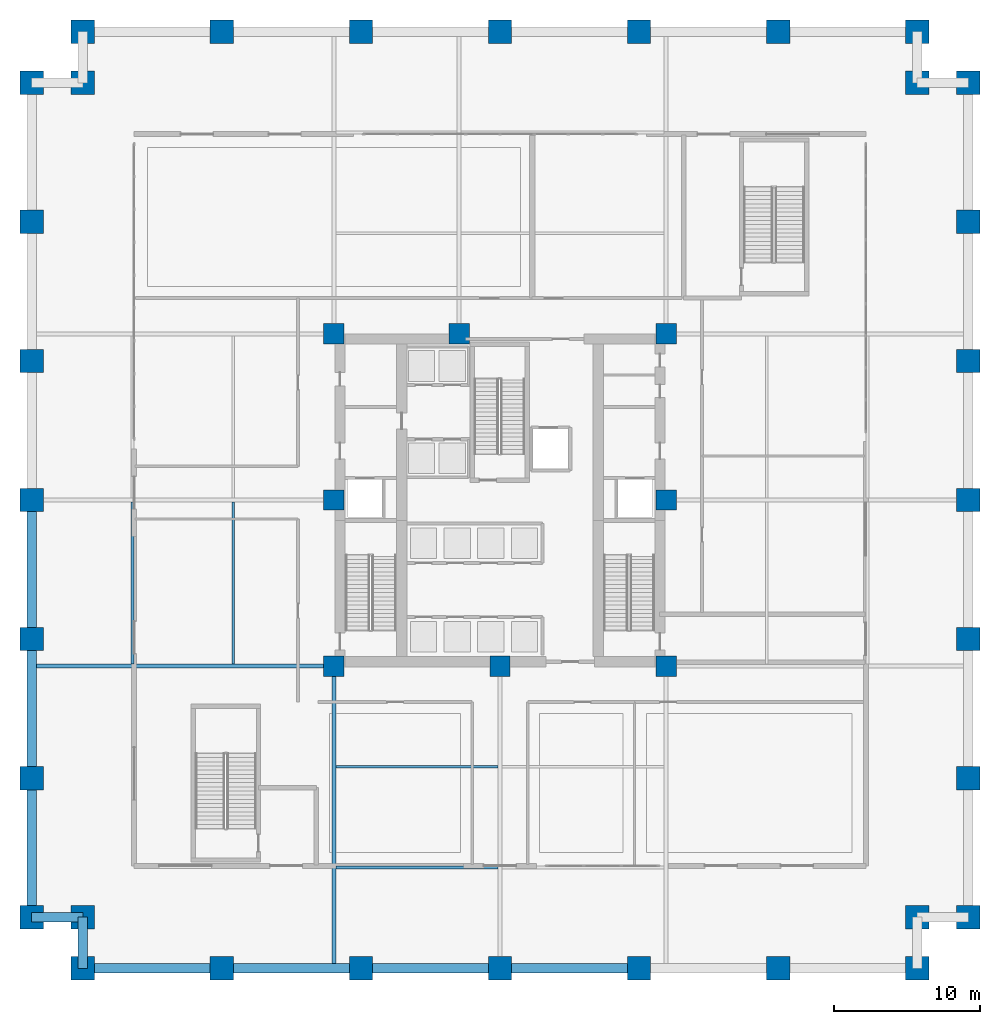
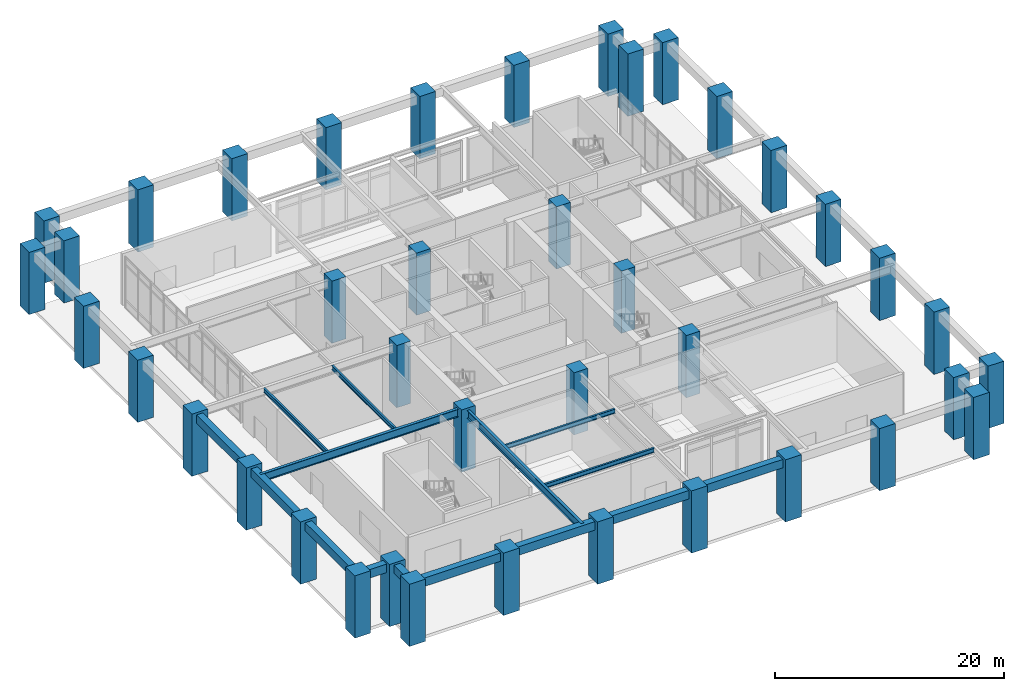
# One storey, part 1 of 17: 40 columns, 15 beams.
"""IFC4 building model written with IfcOpenShell, lengths in metres."""

import ifcopenshell
import ifcopenshell.guid

model = None  # the IFC model being written
_history = None  # IfcOwnerHistory: only IFC2X3 demands one
_inside = {}  # id of a spatial element -> (the spatial element, [elements in it])
_under = {}  # id of a project, library or spatial element -> (it, [spatial elements below it])
_declared = {}  # id of a project -> (the project, [libraries it declares])
_typed = {}  # id of a type object -> (the type object, [elements of that type])
_made_of = {}  # id of a material, layer set ... -> (it, [elements and type objects made of it])


def new_model(schema):
    """Start an empty IFC model of exactly this schema.

    Asked for "IFC4X3", IfcOpenShell would pick the latest addendum, in which some entities
    have other attributes; the version numbers below select the first issue.
    IFC2X3 requires an IfcOwnerHistory on every rooted entity: one is made here for all.
    """
    global model, _history
    if schema == "IFC4X3":
        model = ifcopenshell.file(schema_version=(4, 3, 0, 0))
    else:
        model = ifcopenshell.file(schema=schema)
    _inside.clear()
    _under.clear()
    _declared.clear()
    _typed.clear()
    _made_of.clear()
    _history = None
    if model.schema == "IFC2X3":
        org = make("IfcOrganization", Name="unknown")
        user = make(
            "IfcPersonAndOrganization",
            ThePerson=make("IfcPerson", FamilyName="unknown"),
            TheOrganization=org,
        )
        app = make(
            "IfcApplication",
            ApplicationDeveloper=org,
            Version="unknown",
            ApplicationFullName="unknown",
            ApplicationIdentifier="unknown",
        )
        _history = make(
            "IfcOwnerHistory",
            OwningUser=user,
            OwningApplication=app,
            ChangeAction="ADDED",
            CreationDate=0,
        )
    return model


def make(cls, **values):
    """One entity of the class cls with the attributes given. An attribute that is None is left unset."""
    return model.create_entity(
        cls, **{name: value for name, value in values.items() if value is not None}
    )


def rooted(cls, **values):
    """An entity with a GlobalId (a new one), such as an element, a storey or a relation."""
    return make(cls, GlobalId=ifcopenshell.guid.new(), OwnerHistory=_history, **values)


def si_unit(unit_type, name, prefix=None):
    """IfcSIUnit, for example si_unit("LENGTHUNIT", "METRE", prefix="MILLI")."""
    return make("IfcSIUnit", UnitType=unit_type, Prefix=prefix, Name=name)


def assignment(units):
    """IfcUnitAssignment: the units of a project."""
    return None if units is None else make("IfcUnitAssignment", Units=units)


def point(xyz):
    """IfcCartesianPoint."""
    return None if xyz is None else make("IfcCartesianPoint", Coordinates=xyz)


def direction(xyz):
    """IfcDirection."""
    return None if xyz is None else make("IfcDirection", DirectionRatios=xyz)


def frame(location, z_axis=None, x_axis=None):
    """IfcAxis2Placement3D, a coordinate frame: its origin and axes. An axis left out is left unset."""
    return make(
        "IfcAxis2Placement3D",
        Location=point(location),
        Axis=direction(z_axis),
        RefDirection=direction(x_axis),
    )


def frame_2d(location, x_axis=None):
    """IfcAxis2Placement2D, a coordinate frame in the plane: its origin and x axis."""
    return make(
        "IfcAxis2Placement2D", Location=point(location), RefDirection=direction(x_axis)
    )


def origin():
    """The frame at (0, 0, 0) with its axes left unset."""
    return frame((0.0, 0.0, 0.0))


def origin_2d():
    """The frame at (0, 0) in the plane with its x axis left unset."""
    return frame_2d((0.0, 0.0))


def place(relative_to, where):
    """IfcLocalPlacement: puts the frame where relative to a parent placement (None: the world)."""
    return make(
        "IfcLocalPlacement", PlacementRelTo=relative_to, RelativePlacement=where
    )


def context(
    kind, dimensions, precision=None, world=None, true_north=None, identifier=None
):
    """IfcGeometricRepresentationContext, for example the 3D "Model" context."""
    return make(
        "IfcGeometricRepresentationContext",
        ContextIdentifier=identifier,
        ContextType=kind,
        CoordinateSpaceDimension=dimensions,
        Precision=precision,
        WorldCoordinateSystem=world,
        TrueNorth=true_north,
    )


def subcontext(parent, identifier, kind, view, scale=None):
    """IfcGeometricRepresentationSubContext, for example "Body" below "Model"."""
    return make(
        "IfcGeometricRepresentationSubContext",
        ContextIdentifier=identifier,
        ContextType=kind,
        ParentContext=parent,
        TargetScale=scale,
        TargetView=view,
    )


def project(units=None, contexts=None):
    """IfcProject with its units and contexts."""
    return rooted(
        "IfcProject",
        Name="project",
        RepresentationContexts=contexts,
        UnitsInContext=assignment(units),
    )


def spatial(cls, under=None, at=None, **own):
    """A site, building, storey or space (cls), placed at a placement, below another one or the project."""
    s = rooted(cls, ObjectPlacement=at, **own)
    if under is not None:
        _under.setdefault(under.id(), (under, []))[1].append(s)
    return s


def profile(cls, at=None, kind="AREA", **sizes):
    """A parametric profile (cls). Its sizes go by their IFC names, for example OverallWidth=200.0."""
    return make(cls, ProfileType=kind, Position=at, **sizes)


def rectangle(**sizes):
    """IfcRectangleProfileDef."""
    return profile("IfcRectangleProfileDef", **sizes)


def i_section(**sizes):
    """IfcIShapeProfileDef."""
    return profile("IfcIShapeProfileDef", **sizes)


def extrude(swept, where, along, depth):
    """IfcExtrudedAreaSolid: the profile swept, set in the frame where, extruded along a direction by depth."""
    return make(
        "IfcExtrudedAreaSolid",
        SweptArea=swept,
        Position=where,
        ExtrudedDirection=direction(along),
        Depth=depth,
    )


def shape(context_of_items, identifier, shape_type, items):
    """IfcShapeRepresentation: the items that make up one representation, for example the "Body"."""
    return make(
        "IfcShapeRepresentation",
        ContextOfItems=context_of_items,
        RepresentationIdentifier=identifier,
        RepresentationType=shape_type,
        Items=items,
    )


def material(Name=None, Category=None):
    """IfcMaterial."""
    return make("IfcMaterial", Name=Name, Category=Category)


def material_profile(
    of_material, cross_section, Name=None, Category=None, Priority=None
):
    """IfcMaterialProfile: a cross section and its material."""
    return make(
        "IfcMaterialProfile",
        Name=Name,
        Material=of_material,
        Profile=cross_section,
        Priority=Priority,
        Category=Category,
    )


def profile_set(profiles, Name=None, composite=None):
    """IfcMaterialProfileSet."""
    return make(
        "IfcMaterialProfileSet",
        Name=Name,
        MaterialProfiles=profiles,
        CompositeProfile=composite,
    )


def made_of(thing, what):
    """Note that an element or type object is made of a material, layer set ...; save() writes the relation."""
    if what is not None:
        _made_of.setdefault(what.id(), (what, []))[1].append(thing)
    return thing


def type_object(cls, material=None, **own):
    """A type object (cls), such as IfcWallType, which elements share."""
    return made_of(rooted(cls, **own), material)


def element(
    cls,
    number,
    at=None,
    inside=None,
    cuts=None,
    type_object=None,
    material=None,
    context=None,
    identifier="Body",
    shape_type=None,
    held_by="IfcProductDefinitionShape",
    body=None,
    shapes=None,
    **own,
):
    """One element of the class cls, such as IfcWall. Its Tag is "e" and its number.

    at: its placement. inside: the storey or other place that contains it. cuts: it is an
    opening in that element (IfcRelVoidsElement). A single representation is given by context,
    identifier, shape_type and body (its items); several are given by shapes. held_by: the class
    of the entity that holds the representations. save() writes the other relations.
    """
    e = rooted(cls, Tag="e%d" % number, ObjectPlacement=at, **own)
    if body is not None:
        shapes = [shape(context, identifier, shape_type, body)]
    if shapes is not None:
        e.Representation = make(held_by, Representations=shapes)
    if inside is not None:
        _inside.setdefault(inside.id(), (inside, []))[1].append(e)
    if cuts is not None:
        rooted(
            "IfcRelVoidsElement", RelatingBuildingElement=cuts, RelatedOpeningElement=e
        )
    if type_object is not None:
        _typed.setdefault(type_object.id(), (type_object, []))[1].append(e)
    return made_of(e, material)


def aggregate(whole, parts):
    """IfcRelAggregates: a whole, such as a stair, and the parts it consists of."""
    return rooted("IfcRelAggregates", RelatingObject=whole, RelatedObjects=parts)


def save(model, path):
    """Write the relations noted so far, then the file.

    IfcRelAggregates (storeys below a building ...), IfcRelContainedInSpatialStructure (elements
    in a storey), IfcRelDefinesByType, IfcRelAssociatesMaterial and IfcRelDeclares: one each for
    every whole, place, type object, material and project.
    """
    for whole, parts in _under.values():
        aggregate(whole, parts)
    for where, things in _inside.values():
        rooted(
            "IfcRelContainedInSpatialStructure",
            RelatedElements=things,
            RelatingStructure=where,
        )
    for kind, things in _typed.values():
        rooted("IfcRelDefinesByType", RelatedObjects=things, RelatingType=kind)
    for what, things in _made_of.values():
        rooted("IfcRelAssociatesMaterial", RelatedObjects=things, RelatingMaterial=what)
    for by, libraries in _declared.values():
        rooted("IfcRelDeclares", RelatingContext=by, RelatedDefinitions=libraries)
    model.write(path)


model = new_model("IFC4")

# Units and contexts
model_context = context("Model", 3, precision=1e-05, world=origin(), true_north=direction((0.0, 1.0)))
body_context = subcontext(model_context, "Body", "Model", "MODEL_VIEW")
ifc_project = project(units=[si_unit("LENGTHUNIT", "METRE"), si_unit("AREAUNIT", "SQUARE_METRE"), si_unit("VOLUMEUNIT", "CUBIC_METRE"), si_unit("PLANEANGLEUNIT", "RADIAN"), si_unit("MASSUNIT", "GRAM", prefix="KILO")], contexts=[model_context])

# Site, building, storey
site_placement = place(None, origin())
site = spatial("IfcSite", under=ifc_project, at=site_placement, CompositionType="ELEMENT")
building_placement = place(site_placement, origin())
building = spatial("IfcBuilding", under=site, at=building_placement, Name="Nhamokura Convention Tower", CompositionType="ELEMENT")
storey_placement = place(building_placement, origin())
storey = spatial("IfcBuildingStorey", under=building, at=storey_placement, Name="L00", CompositionType="ELEMENT", Elevation=0.0)

# Columns
ifc_material_1 = material(Name="Concrete C70/85", Category="concrete")
ifc_material_profile_1 = material_profile(ifc_material_1, rectangle(XDim=1.60009765625, YDim=1.60009765625, at=origin_2d()))
ifc_profile_set_1 = profile_set([ifc_material_profile_1], Name="Concrete C70/85")
column_type_1 = type_object("IfcColumnType", Name="StiltColumn_1600", PredefinedType="USERDEFINED", material=ifc_profile_set_1)
for number, where, z_axis, x_axis, name in (
    (1, (3.5, 0.0, 0.0), (0.0, 0.0, 1.0), (1.0, 0.0, 0.0), "L00 Perimeter Tube Column SW1"),
    (2, (3.5, 3.5, 0.0), (0.0, 0.0, 1.0), (1.0, 0.0, 0.0), "L00 Perimeter Tube Column SW0"),
    (3, (0.0, 3.5, 0.0), (0.0, 0.0, 1.0), (1.0, 0.0, 0.0), "L00 Perimeter Tube Column SW2"),
    (4, (60.5, 0.0, 0.0), (0.0, 0.0, 1.0), (1.0, 0.0, 0.0), "L00 Perimeter Tube Column SE1"),
    (5, (60.5, 3.5, 0.0), (0.0, 0.0, 1.0), (1.0, 0.0, 0.0), "L00 Perimeter Tube Column SE0"),
    (6, (64.0, 3.5, 0.0), (0.0, 0.0, 1.0), (1.0, 0.0, 0.0), "L00 Perimeter Tube Column SE2"),
    (7, (64.0, 60.5, 0.0), (0.0, 0.0, 1.0), (1.0, 0.0, 0.0), "L00 Perimeter Tube Column NE1"),
    (8, (60.5, 60.5, 0.0), (0.0, 0.0, 1.0), (1.0, 0.0, 0.0), "L00 Perimeter Tube Column NE0"),
    (9, (60.5, 64.0, 0.0), (0.0, 0.0, 1.0), (1.0, 0.0, 0.0), "L00 Perimeter Tube Column NE2"),
    (10, (3.5, 64.0, 0.0), (0.0, 0.0, 1.0), (1.0, 0.0, 0.0), "L00 Perimeter Tube Column NW1"),
    (11, (3.5, 60.5, 0.0), (0.0, 0.0, 1.0), (1.0, 0.0, 0.0), "L00 Perimeter Tube Column NW0"),
    (12, (0.0, 60.5, 0.0), (0.0, 0.0, 1.0), (1.0, 0.0, 0.0), "L00 Perimeter Tube Column NW2"),
    (13, (13.0, 0.0, 0.0), (0.0, 0.0, 1.0), (1.0, 0.0, 0.0), "L00 Perimeter Tube Column S1"),
    (14, (13.0, 64.0, 0.0), (0.0, 0.0, 1.0), (1.0, 0.0, 0.0), "L00 Perimeter Tube Column N1"),
    (15, (0.0, 13.0, 0.0), (0.0, 0.0, 1.0), (1.0, 0.0, 0.0), "L00 Perimeter Tube Column W1"),
    (16, (64.0, 13.0, 0.0), (0.0, 0.0, 1.0), (1.0, 0.0, 0.0), "L00 Perimeter Tube Column E1"),
    (17, (22.5, 0.0, 0.0), (0.0, 0.0, 1.0), (1.0, 0.0, 0.0), "L00 Perimeter Tube Column S2"),
    (18, (22.5, 64.0, 0.0), (0.0, 0.0, 1.0), (1.0, 0.0, 0.0), "L00 Perimeter Tube Column N2"),
    (19, (0.0, 22.5, 0.0), (0.0, 0.0, 1.0), (1.0, 0.0, 0.0), "L00 Perimeter Tube Column W2"),
    (20, (64.0, 22.5, 0.0), (0.0, 0.0, 1.0), (1.0, 0.0, 0.0), "L00 Perimeter Tube Column E2"),
    (21, (32.0, 0.0, 0.0), (0.0, 0.0, 1.0), (1.0, 0.0, 0.0), "L00 Perimeter Tube Column S3"),
    (22, (32.0, 64.0, 0.0), (0.0, 0.0, 1.0), (1.0, 0.0, 0.0), "L00 Perimeter Tube Column N3"),
    (23, (0.0, 32.0, 0.0), (0.0, 0.0, 1.0), (1.0, 0.0, 0.0), "L00 Perimeter Tube Column W3"),
    (24, (64.0, 32.0, 0.0), (0.0, 0.0, 1.0), (1.0, 0.0, 0.0), "L00 Perimeter Tube Column E3"),
    (25, (41.5, 0.0, 0.0), (0.0, 0.0, 1.0), (1.0, 0.0, 0.0), "L00 Perimeter Tube Column S4"),
    (26, (41.5, 64.0, 0.0), (0.0, 0.0, 1.0), (1.0, 0.0, 0.0), "L00 Perimeter Tube Column N4"),
    (27, (0.0, 41.5, 0.0), (0.0, 0.0, 1.0), (1.0, 0.0, 0.0), "L00 Perimeter Tube Column W4"),
    (28, (64.0, 41.5, 0.0), (0.0, 0.0, 1.0), (1.0, 0.0, 0.0), "L00 Perimeter Tube Column E4"),
    (29, (51.0, 0.0, 0.0), (0.0, 0.0, 1.0), (1.0, 0.0, 0.0), "L00 Perimeter Tube Column S5"),
    (30, (51.0, 64.0, 0.0), (0.0, 0.0, 1.0), (1.0, 0.0, 0.0), "L00 Perimeter Tube Column N5"),
    (31, (0.0, 51.0, 0.0), (0.0, 0.0, 1.0), (1.0, 0.0, 0.0), "L00 Perimeter Tube Column W5"),
    (32, (64.0, 51.0, 0.0), (0.0, 0.0, 1.0), (1.0, 0.0, 0.0), "L00 Perimeter Tube Column E5"),
):
    element("IfcColumn", number, at=place(storey_placement, frame(where, z_axis=z_axis, x_axis=x_axis)), inside=storey, type_object=column_type_1, Name=name, ObjectType="STILT_COLUMN", PredefinedType="USERDEFINED", context=body_context, shape_type="SweptSolid", body=[
        extrude(rectangle(XDim=1.60009765625, YDim=1.60009765625, at=origin_2d()), origin(), (0.0, 0.0, 1.0), 6.64990234375),
    ])
ifc_material_2 = material(Name="Concrete C70/85", Category="concrete")
ifc_material_profile_2 = material_profile(ifc_material_2, rectangle(XDim=1.39990234375, YDim=1.39990234375, at=origin_2d()))
ifc_profile_set_2 = profile_set([ifc_material_profile_2], Name="Concrete C70/85")
column_type_2 = type_object("IfcColumnType", Name="TubeColumn_B_1400", PredefinedType="COLUMN", material=ifc_profile_set_2)
for number, where, z_axis, x_axis, name in (
    (33, (20.64990234375, 20.64990234375, 0.0), (0.0, 0.0, 1.0), (1.0, 0.0, 0.0), "L00 Core Column CC-SW"),
    (34, (32.0, 20.64990234375, 0.0), (0.0, 0.0, 1.0), (1.0, 0.0, 0.0), "L00 Core Column CC-S"),
    (35, (43.35009765625, 20.64990234375, 0.0), (0.0, 0.0, 1.0), (1.0, 0.0, 0.0), "L00 Core Column CC-SE"),
    (36, (43.35009765625, 32.0, 0.0), (0.0, 0.0, 1.0), (1.0, 0.0, 0.0), "L00 Core Column CC-E"),
    (37, (43.35009765625, 43.35009765625, 0.0), (0.0, 0.0, 1.0), (1.0, 0.0, 0.0), "L00 Core Column CC-NE"),
    (38, (29.199951171875, 43.35009765625, 0.0), (0.0, 0.0, 1.0), (1.0, 0.0, 0.0), "L00 Core Column CC-N"),
    (39, (20.64990234375, 43.35009765625, 0.0), (0.0, 0.0, 1.0), (1.0, 0.0, 0.0), "L00 Core Column CC-NW"),
    (40, (20.64990234375, 32.0, 0.0), (0.0, 0.0, 1.0), (1.0, 0.0, 0.0), "L00 Core Column CC-W"),
):
    element("IfcColumn", number, at=place(storey_placement, frame(where, z_axis=z_axis, x_axis=x_axis)), inside=storey, type_object=column_type_2, Name=name, PredefinedType="COLUMN", context=body_context, shape_type="SweptSolid", body=[
        extrude(rectangle(XDim=1.39990234375, YDim=1.39990234375, at=origin_2d()), origin(), (0.0, 0.0, 1.0), 6.64990234375),
    ])

# Beams
ifc_material_3 = material(Name="Steel ASTM A992 Gr 50", Category="steel")
ifc_material_profile_3 = material_profile(ifc_material_3, i_section(OverallWidth=0.19189453125, OverallDepth=0.462890625, WebThickness=0.010498046875, FlangeThickness=0.017578125, at=origin_2d()))
ifc_profile_set_3 = profile_set([ifc_material_profile_3], Name="Steel ASTM A992 Gr 50")
beam_type_1 = type_object("IfcBeamType", Name="FloorJoist_W460X89", PredefinedType="JOIST", material=ifc_profile_set_3)
for number, where, z_axis, x_axis, name in (
    (41, (20.794921875, 6.88330078125, 6.178466796875), (1.0, 0.0, 0.0), (0.0, 1.0, 0.0), "L00 Composite Floor Joist S1A"),
    (42, (20.794921875, 13.7666015625, 6.178466796875), (1.0, 0.0, 0.0), (0.0, 1.0, 0.0), "L00 Composite Floor Joist S2A"),
    (43, (6.88330078125, 20.794921875, 6.178466796875), (0.0, 1.0, 0.0), (-1.0, 0.0, 0.0), "L00 Composite Floor Joist W1A"),
    (44, (13.7666015625, 20.794921875, 6.178466796875), (0.0, 1.0, 0.0), (-1.0, 0.0, 0.0), "L00 Composite Floor Joist W2A"),
):
    element("IfcBeam", number, at=place(storey_placement, frame(where, z_axis=z_axis, x_axis=x_axis)), inside=storey, type_object=beam_type_1, Name=name, PredefinedType="JOIST", context=body_context, shape_type="SweptSolid", body=[
        extrude(i_section(OverallWidth=0.19189453125, OverallDepth=0.462890625, WebThickness=0.010498046875, FlangeThickness=0.017578125, at=origin_2d()), origin(), (0.0, 0.0, 1.0), 11.06005859375),
    ])
ifc_material_4 = material(Name="Steel ASTM A992 Gr 50", Category="steel")
ifc_material_profile_4 = material_profile(ifc_material_4, i_section(OverallWidth=0.2939453125, OverallDepth=0.85107421875, WebThickness=0.01611328125, FlangeThickness=0.02685546875, at=origin_2d()))
ifc_profile_set_4 = profile_set([ifc_material_profile_4], Name="Steel ASTM A992 Gr 50")
beam_type_2 = type_object("IfcBeamType", Name="HallGirder_W840X226", PredefinedType="BEAM", material=ifc_profile_set_4)
for number, where, z_axis, x_axis, name in (
    (45, (20.64990234375, 0.0, 5.984619140625), (0.0, 1.0, 0.0), (-1.0, 0.0, 0.0), "L00 Primary Floor Girder PG-S1"),
    (46, (0.0, 20.64990234375, 5.984619140625), (1.0, 0.0, 0.0), (0.0, 1.0, 0.0), "L00 Primary Floor Girder PG-W1"),
):
    element("IfcBeam", number, at=place(storey_placement, frame(where, z_axis=z_axis, x_axis=x_axis)), inside=storey, type_object=beam_type_2, Name=name, PredefinedType="BEAM", context=body_context, shape_type="SweptSolid", body=[
        extrude(i_section(OverallWidth=0.2939453125, OverallDepth=0.85107421875, WebThickness=0.01611328125, FlangeThickness=0.02685546875, at=origin_2d()), origin(), (0.0, 0.0, 1.0), 20.64990234375),
    ])
ifc_material_5 = material(Name="Concrete C60/75", Category="concrete")
ifc_material_profile_5 = material_profile(ifc_material_5, rectangle(XDim=0.64990234375, YDim=0.89990234375, at=origin_2d()))
ifc_profile_set_5 = profile_set([ifc_material_profile_5], Name="Concrete C60/75")
beam_type_3 = type_object("IfcBeamType", Name="TubeSpandrel_900", PredefinedType="SPANDREL", material=ifc_profile_set_5)
for number, where, z_axis, x_axis, name in (
    (47, (3.5, 0.0, 5.9599609375), (1.0, 0.0, 0.0), (0.0, 1.0, 0.0), "L00 Perimeter Spandrel SOUTH 1"),
    (48, (13.0, 0.0, 5.9599609375), (1.0, 0.0, 0.0), (0.0, 1.0, 0.0), "L00 Perimeter Spandrel SOUTH 2"),
    (49, (22.5, 0.0, 5.9599609375), (1.0, 0.0, 0.0), (0.0, 1.0, 0.0), "L00 Perimeter Spandrel SOUTH 3"),
    (50, (32.0, 0.0, 5.9599609375), (1.0, 0.0, 0.0), (0.0, 1.0, 0.0), "L00 Perimeter Spandrel SOUTH 4"),
    (51, (0.0, 3.5, 5.9599609375), (0.0, 1.0, 0.0), (-1.0, 0.0, 0.0), "L00 Perimeter Spandrel WEST 1"),
    (52, (0.0, 13.0, 5.9599609375), (0.0, 1.0, 0.0), (-1.0, 0.0, 0.0), "L00 Perimeter Spandrel WEST 2"),
    (53, (0.0, 22.5, 5.9599609375), (0.0, 1.0, 0.0), (-1.0, 0.0, 0.0), "L00 Perimeter Spandrel WEST 3"),
):
    element("IfcBeam", number, at=place(storey_placement, frame(where, z_axis=z_axis, x_axis=x_axis)), inside=storey, type_object=beam_type_3, Name=name, PredefinedType="SPANDREL", context=body_context, shape_type="SweptSolid", body=[
        extrude(rectangle(XDim=0.64990234375, YDim=0.89990234375, at=origin_2d()), origin(), (0.0, 0.0, 1.0), 9.5),
    ])
for number, where, z_axis, x_axis, name in (
    (54, (3.5, 0.0, 5.9599609375), (0.0, 1.0, 0.0), (-1.0, 0.0, 0.0), "L00 Notch Spandrel SW1"),
    (55, (3.5, 3.5, 5.9599609375), (-1.0, 0.0, 0.0), (0.0, -1.0, 0.0), "L00 Notch Spandrel SW2"),
):
    element("IfcBeam", number, at=place(storey_placement, frame(where, z_axis=z_axis, x_axis=x_axis)), inside=storey, type_object=beam_type_3, Name=name, PredefinedType="SPANDREL", context=body_context, shape_type="SweptSolid", body=[
        extrude(rectangle(XDim=0.64990234375, YDim=0.89990234375, at=origin_2d()), origin(), (0.0, 0.0, 1.0), 3.5),
    ])

save(model, "model.ifc")
